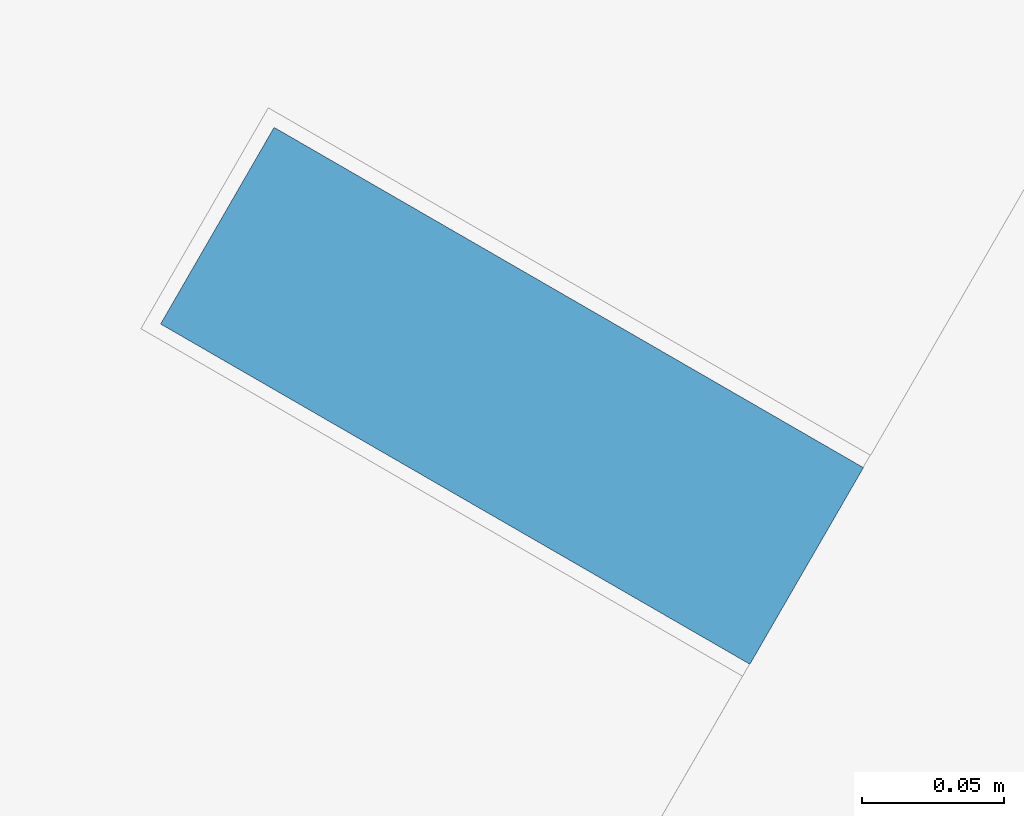
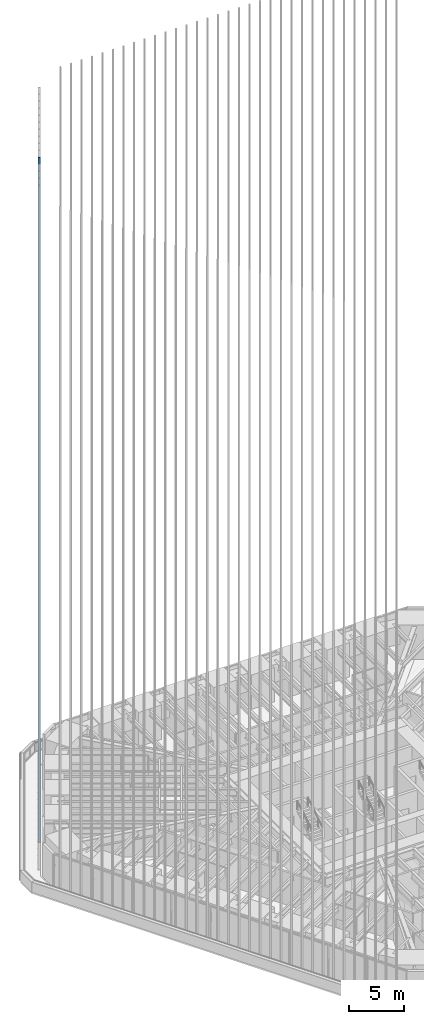
# One storey, part 131 of 238: 1 member, 1 element without a shape of its own.
"""IFC4 building model written with IfcOpenShell, lengths in metres."""

from ifc_helpers import new_model, si_unit, direction, frame, origin, origin_2d, place, context, subcontext, project, spatial, rectangle, extrude, material, material_profile, profile_set, type_object, element, aggregate, save


model = new_model("IFC4")

# Units and contexts
model_context = context("Model", 3, precision=1e-05, world=origin(), true_north=direction((0.0, 1.0)))
body_context = subcontext(model_context, "Body", "Model", "MODEL_VIEW")
ifc_project = project(units=[si_unit("LENGTHUNIT", "METRE"), si_unit("AREAUNIT", "SQUARE_METRE"), si_unit("VOLUMEUNIT", "CUBIC_METRE"), si_unit("PLANEANGLEUNIT", "RADIAN"), si_unit("MASSUNIT", "GRAM", prefix="KILO")], contexts=[model_context])

# Site, building, storey
site_placement = place(None, origin())
site = spatial("IfcSite", under=ifc_project, at=site_placement, CompositionType="ELEMENT")
building_placement = place(site_placement, origin())
building = spatial("IfcBuilding", under=site, at=building_placement, Name="Sandreach Pilgrim Tower", CompositionType="ELEMENT")
storey_placement = place(building_placement, frame((0.0, 0.0, 96.800048828125)))
storey = spatial("IfcBuildingStorey", under=building, at=storey_placement, Name="L23", CompositionType="ELEMENT", Elevation=96.800048828125)

# Curtain wall, member
ifc_material_1 = material(Name="Aluminium framed curtain wall", Category="aluminium")
curtain_wall_type = type_object("IfcCurtainWallType", Name="Hotel tower curtain wall", PredefinedType="NOTDEFINED", material=ifc_material_1)
curtain_wall_placement = place(storey_placement, origin())
curtain_wall = element("IfcCurtainWall", 1, at=curtain_wall_placement, inside=storey, type_object=curtain_wall_type, Name="CW-2 L23 NW", PredefinedType="NOTDEFINED")
ifc_material_2 = material(Name="Extruded terracotta on aluminium core", Category="masonry")
ifc_material_profile = material_profile(ifc_material_2, rectangle(XDim=0.080078125, YDim=0.239990234375, at=origin_2d()), Name="TBW 80X240")
ifc_profile_set = profile_set([ifc_material_profile], Name="Extruded terracotta on aluminium core")
member_type = type_object("IfcMemberType", Name="Terracotta baguette west", PredefinedType="USERDEFINED", material=ifc_profile_set)
member_placement = place(storey_placement, frame((-26.43896484375, 11.4306640625, 0.0), z_axis=(0.0, 0.0, 1.0), x_axis=(0.5, 0.866025403784, 0.0)))
member = element("IfcMember", 2, at=member_placement, type_object=member_type, Name="Baguette Z2 NW05", ObjectType="BAGUETTE", PredefinedType="USERDEFINED", context=body_context, shape_type="SweptSolid", body=[
    extrude(rectangle(XDim=0.080078125, YDim=0.239990234375, at=origin_2d()), origin(), (0.0, 0.0, 1.0), 75.83984375),
])
aggregate(curtain_wall, [member])

save(model, "model.ifc")
